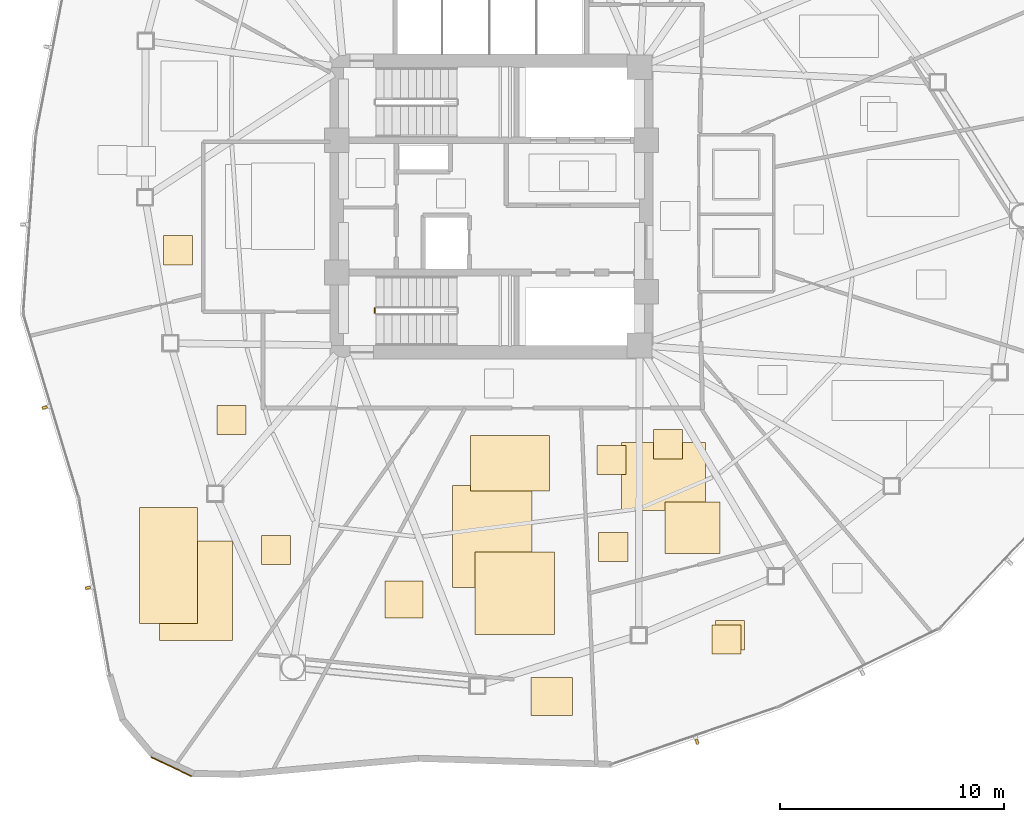
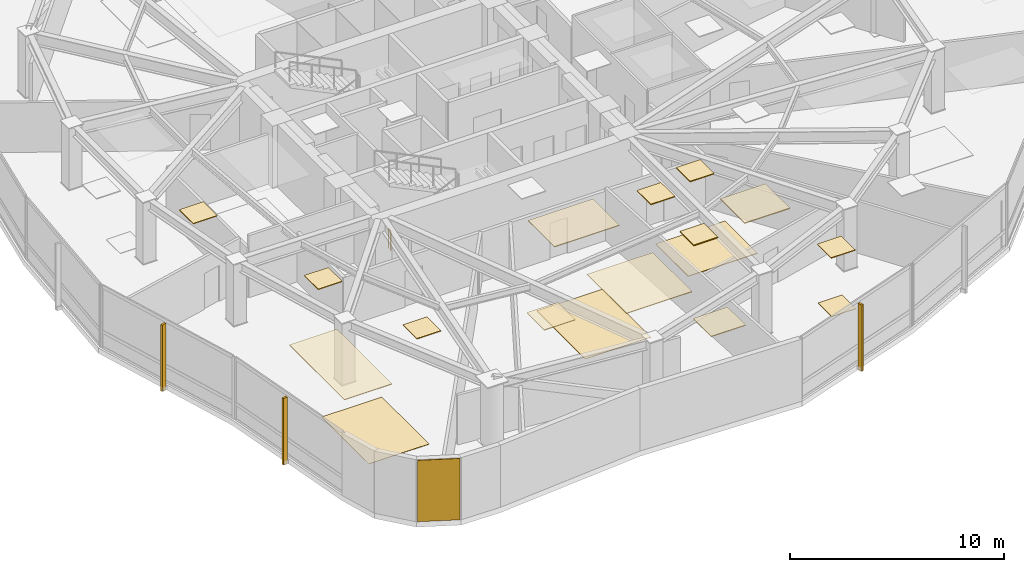
# One storey, part 14 of 17: 18 coverings, 3 shading devices, 1 railing.
"""IFC4 building model written with IfcOpenShell, lengths in metres."""

from ifc_helpers import new_model, si_unit, direction, frame, origin, origin_2d, place, context, subcontext, project, spatial, polyline, rectangle, outline, extrude, source, transform, mapped, material, layer, layer_set, type_object, type_shapes, element, save


model = new_model("IFC4")

# Units and contexts
model_context = context("Model", 3, precision=1e-05, world=origin(), true_north=direction((0.0, 1.0)))
body_context = subcontext(model_context, "Body", "Model", "MODEL_VIEW")
ifc_project = project(units=[si_unit("LENGTHUNIT", "METRE"), si_unit("AREAUNIT", "SQUARE_METRE"), si_unit("VOLUMEUNIT", "CUBIC_METRE"), si_unit("PLANEANGLEUNIT", "RADIAN"), si_unit("MASSUNIT", "GRAM", prefix="KILO")], contexts=[model_context])

# Site, building, storey
site_placement = place(None, origin())
site = spatial("IfcSite", under=ifc_project, at=site_placement, CompositionType="ELEMENT")
building_placement = place(site_placement, origin())
building = spatial("IfcBuilding", under=site, at=building_placement, Name="Tavelor Broadcast Tower", CompositionType="ELEMENT")
storey_placement = place(building_placement, frame((0.0, 0.0, 127.14990234375)))
storey = spatial("IfcBuildingStorey", under=building, at=storey_placement, Name="L29", CompositionType="ELEMENT", Elevation=127.14990234375)

# Coverings
ifc_material_1 = material(Name="Copper-Bronze Anodized Aluminium", Category="aluminium")
ifc_layer_1 = layer(ifc_material_1, 0.050048828125)
ifc_layer_set_1 = layer_set([ifc_layer_1], Name="Copper-Bronze Anodized Aluminium")
covering_type_1 = type_object("IfcCoveringType", Name="Champagne-Bronze Corner Pier Metal Cladding 50 mm", PredefinedType="CLADDING", material=ifc_layer_set_1)
covering_1_placement = place(storey_placement, frame((35.72216796875, 20.01611328125, 0.02001953125), z_axis=(0.0, 0.0, 1.0), x_axis=(0.903709265369, -0.428146661421, 0.0)))
element("IfcCovering", 1, at=covering_1_placement, inside=storey, type_object=covering_type_1, Name="L29 Champagne-Bronze Corner Cladding 13", PredefinedType="CLADDING", context=body_context, shape_type="SweptSolid", body=[
    extrude(rectangle(XDim=1.998291015625, YDim=0.050048828125, at=origin_2d()), origin(), (0.0, 0.0, 1.0), 3.510009765625),
])
ifc_material_2 = material(Name="Acoustic Nylon Carpet Tile")
ifc_layer_2 = layer(ifc_material_2, 0.02001953125)
ifc_layer_set_2 = layer_set([ifc_layer_2], Name="Acoustic Nylon Carpet Tile")
covering_type_2 = type_object("IfcCoveringType", Name="Heavy-Duty Acoustic Broadcast Carpet Tile 20 mm", PredefinedType="FLOORING", material=ifc_layer_set_2)
covering_2_placement = place(storey_placement, origin())
element("IfcCovering", 2, at=covering_2_placement, inside=storey, type_object=covering_type_2, Name="L29 Broadcast Floor Finish 0407", PredefinedType="FLOORING", context=body_context, shape_type="SweptSolid", body=[
    extrude(outline(polyline([(59.977294921875, 25.2255859375), (61.27734375, 25.2255859375), (61.27734375, 26.525634765625), (59.977294921875, 26.525634765625), (59.977294921875, 25.2255859375)])), origin(), (0.0, 0.0, 1.0), 0.02001953125),
])
covering_3_placement = place(storey_placement, origin())
element("IfcCovering", 3, at=covering_3_placement, inside=storey, type_object=covering_type_2, Name="L29 Broadcast Floor Finish 0408", PredefinedType="FLOORING", context=body_context, shape_type="SweptSolid", body=[
    extrude(outline(polyline([(48.252685546875, 28.010009765625), (51.806396484375, 28.010009765625), (51.806396484375, 32.543212890625), (48.252685546875, 32.543212890625), (48.252685546875, 28.010009765625)])), origin(), (0.0, 0.0, 1.0), 0.02001953125),
])
covering_4_placement = place(storey_placement, origin())
element("IfcCovering", 4, at=covering_4_placement, inside=storey, type_object=covering_type_2, Name="L29 Broadcast Floor Finish 0409", PredefinedType="FLOORING", context=body_context, shape_type="SweptSolid", body=[
    extrude(outline(polyline([(35.19189453125, 25.653076171875), (38.45361328125, 25.653076171875), (38.45361328125, 30.081298828125), (35.19189453125, 30.081298828125), (35.19189453125, 25.653076171875)])), origin(), (0.0, 0.0, 1.0), 0.02001953125),
])
ifc_material_3 = material(Name="Acoustic Hardwood Studio Flooring", Category="wood")
ifc_layer_3 = layer(ifc_material_3, 0.034912109375)
ifc_layer_set_3 = layer_set([ifc_layer_3], Name="Acoustic Hardwood Studio Flooring")
covering_type_3 = type_object("IfcCoveringType", Name="Isolated Studio Acoustic Elastomeric Floor Finish 35 mm", PredefinedType="FLOORING", material=ifc_layer_set_3)
covering_5_placement = place(storey_placement, origin())
element("IfcCovering", 5, at=covering_5_placement, inside=storey, type_object=covering_type_3, Name="L29 Broadcast Floor Finish 0416", PredefinedType="FLOORING", context=body_context, shape_type="SweptSolid", body=[
    extrude(outline(polyline([(55.793212890625, 31.434814453125), (59.54150390625, 31.434814453125), (59.54150390625, 34.4775390625), (55.793212890625, 34.4775390625), (55.793212890625, 31.434814453125)])), origin(), (0.0, 0.0, 1.0), 0.03515625),
])
ifc_material_4 = material(Name="Acoustic Perforated Timber Baffle", Category="wood")
ifc_layer_4 = layer(ifc_material_4, 0.054931640625)
ifc_layer_set_4 = layer_set([ifc_layer_4], Name="Acoustic Perforated Timber Baffle")
covering_type_4 = type_object("IfcCoveringType", Name="Micro-Perforated Acoustic Baffle Studio Ceiling 55 mm", PredefinedType="CEILING", material=ifc_layer_set_4)
covering_6_placement = place(storey_placement, frame((0.0, 0.0, 3.4951171875)))
element("IfcCovering", 6, at=covering_6_placement, inside=storey, type_object=covering_type_4, Name="L29 Suspended Acoustic Ceiling 1180", PredefinedType="CEILING", context=body_context, shape_type="SweptSolid", body=[
    extrude(outline(polyline([(54.7783203125, 29.156005859375), (56.078369140625, 29.156005859375), (56.078369140625, 30.4560546875), (54.7783203125, 30.4560546875), (54.7783203125, 29.156005859375)])), origin(), (0.0, 0.0, 1.0), 0.054931640625),
])
covering_7_placement = place(storey_placement, frame((0.0, 0.0, 3.4951171875)))
element("IfcCovering", 7, at=covering_7_placement, inside=storey, type_object=covering_type_4, Name="L29 Suspended Acoustic Ceiling 1181", PredefinedType="CEILING", context=body_context, shape_type="SweptSolid", body=[
    extrude(outline(polyline([(54.7001953125, 33.04443359375), (56.000244140625, 33.04443359375), (56.000244140625, 34.344482421875), (54.7001953125, 34.344482421875), (54.7001953125, 33.04443359375)])), origin(), (0.0, 0.0, 1.0), 0.054931640625),
])
covering_8_placement = place(storey_placement, frame((0.0, 0.0, 3.4951171875)))
element("IfcCovering", 8, at=covering_8_placement, inside=storey, type_object=covering_type_4, Name="L29 Suspended Acoustic Ceiling 1182", PredefinedType="CEILING", context=body_context, shape_type="SweptSolid", body=[
    extrude(outline(polyline([(57.224609375, 33.74560546875), (58.5244140625, 33.74560546875), (58.5244140625, 35.045654296875), (57.224609375, 35.045654296875), (57.224609375, 33.74560546875)])), origin(), (0.0, 0.0, 1.0), 0.054931640625),
])
covering_9_placement = place(storey_placement, frame((0.0, 0.0, 3.4951171875)))
element("IfcCovering", 9, at=covering_9_placement, inside=storey, type_object=covering_type_4, Name="L29 Suspended Acoustic Ceiling 1183", PredefinedType="CEILING", context=body_context, shape_type="SweptSolid", body=[
    extrude(outline(polyline([(57.74169921875, 29.525634765625), (60.191650390625, 29.525634765625), (60.191650390625, 31.815185546875), (57.74169921875, 31.815185546875), (57.74169921875, 29.525634765625)])), origin(), (0.0, 0.0, 1.0), 0.054931640625),
])

# Railing
ifc_material_5 = material(Name="Steel S355", Category="steel")
railing_type = type_object("IfcRailingType", Name="Stairwell Steel Safety Guardrail 1150 mm", PredefinedType="GUARDRAIL", material=ifc_material_5)
railing_placement = place(storey_placement, frame((44.800048828125, 40.25, 0.0)))
element("IfcRailing", 10, at=railing_placement, inside=storey, type_object=railing_type, Name="L29 ST2 stair guard 4", PredefinedType="GUARDRAIL", context=body_context, shape_type="SweptSolid", body=[
    extrude(rectangle(XDim=0.048095703125, YDim=0.048095703125, at=origin_2d()), frame((0.0, 0.0, 1.1259765625), z_axis=(0.0, 1.0, 0.0), x_axis=(-1.0, 0.0, 0.0)), (0.0, 0.0, 1.0), 0.199951171875),
    extrude(rectangle(XDim=0.0419921875, YDim=0.0419921875, at=origin_2d()), origin(), (0.0, 0.0, 1.0), 1.101806640625),
    extrude(rectangle(XDim=0.0419921875, YDim=0.0419921875, at=origin_2d()), frame((0.0, 0.199951171875, 0.0)), (0.0, 0.0, 1.0), 1.101806640625),
])

# Coverings
ifc_material_6 = material(Name="Acoustic Mineral Fibre Tile")
ifc_layer_5 = layer(ifc_material_6, 0.0400390625)
ifc_layer_set_5 = layer_set([ifc_layer_5], Name="Acoustic Mineral Fibre Tile")
covering_type_5 = type_object("IfcCoveringType", Name="Suspended Acoustic Mineral-Fibre Office Ceiling 40 mm", PredefinedType="CEILING", material=ifc_layer_set_5)
covering_10_placement = place(storey_placement, frame((0.0, 0.0, 3.510009765625)))
element("IfcCovering", 11, at=covering_10_placement, inside=storey, type_object=covering_type_5, Name="L29 Suspended Acoustic Ceiling 1153", PredefinedType="CEILING", context=body_context, shape_type="SweptSolid", body=[
    extrude(outline(polyline([(59.83154296875, 25.038330078125), (61.131591796875, 25.038330078125), (61.131591796875, 26.33837890625), (59.83154296875, 26.33837890625), (59.83154296875, 25.038330078125)])), origin(), (0.0, 0.0, 1.0), 0.0400390625),
])
covering_11_placement = place(storey_placement, frame((0.0, 0.0, 3.510009765625)))
element("IfcCovering", 12, at=covering_11_placement, inside=storey, type_object=covering_type_5, Name="L29 Suspended Acoustic Ceiling 1154", PredefinedType="CEILING", context=body_context, shape_type="SweptSolid", body=[
    extrude(outline(polyline([(49.260986328125, 25.912353515625), (52.815185546875, 25.912353515625), (52.815185546875, 29.590576171875), (49.260986328125, 29.590576171875), (49.260986328125, 25.912353515625)])), origin(), (0.0, 0.0, 1.0), 0.0400390625),
])
covering_12_placement = place(storey_placement, frame((0.0, 0.0, 3.510009765625)))
element("IfcCovering", 13, at=covering_12_placement, inside=storey, type_object=covering_type_5, Name="L29 Suspended Acoustic Ceiling 1155", PredefinedType="CEILING", context=body_context, shape_type="SweptSolid", body=[
    extrude(outline(polyline([(45.253662109375, 26.6552734375), (46.93310546875, 26.6552734375), (46.93310546875, 28.291259765625), (45.253662109375, 28.291259765625), (45.253662109375, 26.6552734375)])), origin(), (0.0, 0.0, 1.0), 0.0400390625),
])
covering_13_placement = place(storey_placement, frame((0.0, 0.0, 3.510009765625)))
element("IfcCovering", 14, at=covering_13_placement, inside=storey, type_object=covering_type_5, Name="L29 Suspended Acoustic Ceiling 1156", PredefinedType="CEILING", context=body_context, shape_type="SweptSolid", body=[
    extrude(outline(polyline([(49.0654296875, 32.30029296875), (52.574951171875, 32.30029296875), (52.574951171875, 34.779052734375), (49.0654296875, 34.779052734375), (49.0654296875, 32.30029296875)])), origin(), (0.0, 0.0, 1.0), 0.0400390625),
])
covering_14_placement = place(storey_placement, frame((0.0, 0.0, 3.510009765625)))
element("IfcCovering", 15, at=covering_14_placement, inside=storey, type_object=covering_type_5, Name="L29 Suspended Acoustic Ceiling 1157", PredefinedType="CEILING", context=body_context, shape_type="SweptSolid", body=[
    extrude(outline(polyline([(51.76220703125, 22.288818359375), (53.614990234375, 22.288818359375), (53.614990234375, 23.989013671875), (51.76220703125, 23.989013671875), (51.76220703125, 22.288818359375)])), origin(), (0.0, 0.0, 1.0), 0.0400390625),
])
covering_15_placement = place(storey_placement, frame((0.0, 0.0, 3.510009765625)))
element("IfcCovering", 16, at=covering_15_placement, inside=storey, type_object=covering_type_5, Name="L29 Suspended Acoustic Ceiling 1158", PredefinedType="CEILING", context=body_context, shape_type="SweptSolid", body=[
    extrude(outline(polyline([(34.310302734375, 26.406982421875), (36.88671875, 26.406982421875), (36.88671875, 31.569580078125), (34.310302734375, 31.569580078125), (34.310302734375, 26.406982421875)])), origin(), (0.0, 0.0, 1.0), 0.0400390625),
])
covering_16_placement = place(storey_placement, frame((0.0, 0.0, 3.510009765625)))
element("IfcCovering", 17, at=covering_16_placement, inside=storey, type_object=covering_type_5, Name="L29 Suspended Acoustic Ceiling 1159", PredefinedType="CEILING", context=body_context, shape_type="SweptSolid", body=[
    extrude(outline(polyline([(37.751220703125, 34.8251953125), (39.051025390625, 34.8251953125), (39.051025390625, 36.125244140625), (37.751220703125, 36.125244140625), (37.751220703125, 34.8251953125)])), origin(), (0.0, 0.0, 1.0), 0.0400390625),
])
covering_17_placement = place(storey_placement, frame((0.0, 0.0, 3.510009765625)))
element("IfcCovering", 18, at=covering_17_placement, inside=storey, type_object=covering_type_5, Name="L29 Suspended Acoustic Ceiling 1160", PredefinedType="CEILING", context=body_context, shape_type="SweptSolid", body=[
    extrude(outline(polyline([(39.73681640625, 29.0263671875), (41.036865234375, 29.0263671875), (41.036865234375, 30.326416015625), (39.73681640625, 30.326416015625), (39.73681640625, 29.0263671875)])), origin(), (0.0, 0.0, 1.0), 0.0400390625),
])
covering_18_placement = place(storey_placement, frame((0.0, 0.0, 3.510009765625)))
element("IfcCovering", 19, at=covering_18_placement, inside=storey, type_object=covering_type_5, Name="L29 Suspended Acoustic Ceiling 1163", PredefinedType="CEILING", context=body_context, shape_type="SweptSolid", body=[
    extrude(outline(polyline([(35.364013671875, 42.396484375), (36.6640625, 42.396484375), (36.6640625, 43.696533203125), (35.364013671875, 43.696533203125), (35.364013671875, 42.396484375)])), origin(), (0.0, 0.0, 1.0), 0.0400390625),
])

# Shading devices
ifc_material_7 = material(Name="Kiln-Fired Glazed Terracotta", Category="masonry")
shading_device_type = type_object("IfcShadingDeviceType", Name="Extruded Terracotta Baguette Sun-Screen 110x240", PredefinedType="JALOUSIE", material=ifc_material_7)
shared_shape = source(origin(), body_context, "Body", "SweptSolid", [
    extrude(rectangle(XDim=0.110107421875, YDim=0.239990234375, at=origin_2d()), origin(), (0.0, 0.0, 1.0), 3.7900390625),
])
type_shapes(shading_device_type, [shared_shape])
for number, where, z_axis, x_axis, name in (
    (20, (30.067138671875, 36.029052734375, -0.260009765625), (0.0, 0.0, 1.0), (0.288864708771, -0.957369928516, 0.0), "L29 Terracotta Baguette Fin 279"),
    (21, (31.99267578125, 27.988037109375, -0.260009765625), (0.0, 0.0, 1.0), (0.171585221787, -0.985169280715, 0.0), "L29 Terracotta Baguette Fin 280"),
    (22, (59.1650390625, 21.122802734375, -0.260009765625), (0.0, 0.0, 1.0), (0.945404873273, 0.325898182861, 0.0), "L29 Terracotta Baguette Fin 281"),
):
    element("IfcShadingDevice", number, at=place(storey_placement, frame(where, z_axis=z_axis, x_axis=x_axis)), inside=storey, type_object=shading_device_type, Name=name, PredefinedType="JALOUSIE", context=body_context, shape_type="MappedRepresentation", body=[
        mapped(shared_shape, transform((0.0, 0.0, 0.0), scale=1.0)),
    ])

save(model, "model.ifc")
